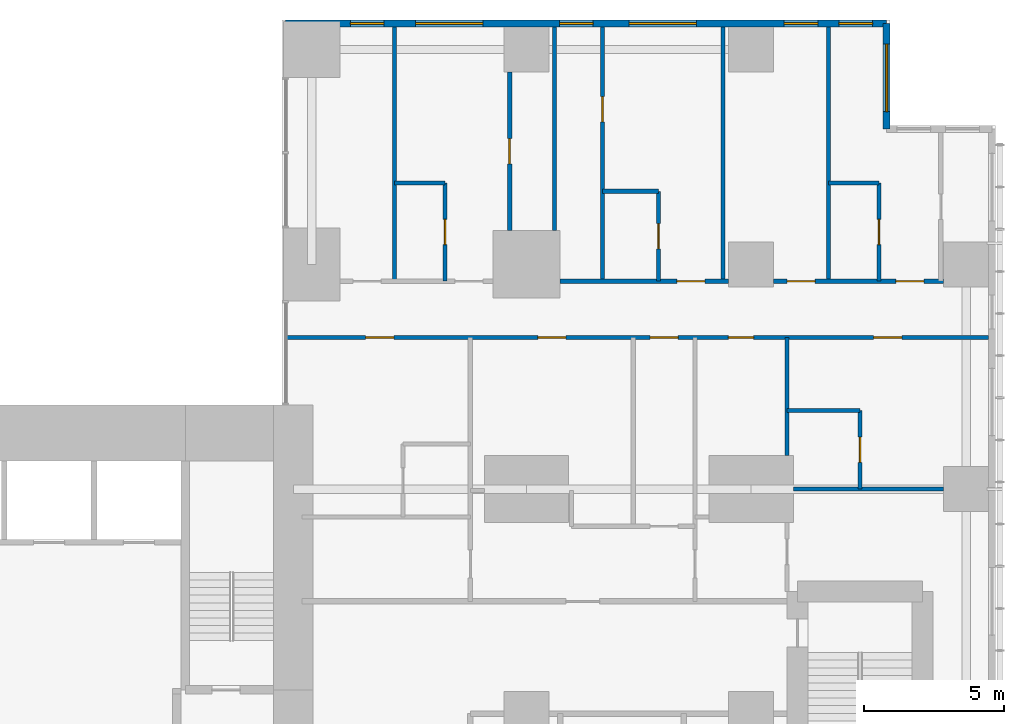
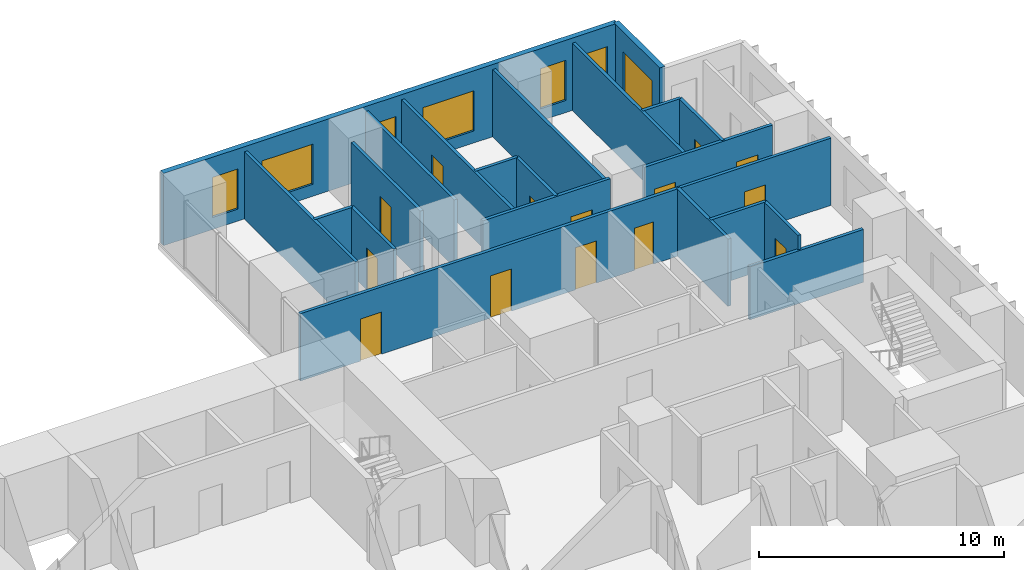
# One storey, part 10 of 12: 21 walls, 14 doors, 7 windows, 21 openings.
"""IFC4 building model written with IfcOpenShell, lengths in metres."""

from ifc_helpers import new_model, si_unit, direction, frame, frame_2d, origin, place, context, subcontext, project, spatial, rectangle, extrude, material, layer, layer_set, type_object, element, fill, save


model = new_model("IFC4")

# Units and contexts
model_context = context("Model", 3, precision=1e-05, world=origin(), true_north=direction((0.0, 1.0)))
body_context = subcontext(model_context, "Body", "Model", "MODEL_VIEW")
ifc_project = project(units=[si_unit("LENGTHUNIT", "METRE"), si_unit("AREAUNIT", "SQUARE_METRE"), si_unit("VOLUMEUNIT", "CUBIC_METRE"), si_unit("PLANEANGLEUNIT", "RADIAN"), si_unit("MASSUNIT", "GRAM", prefix="KILO")], contexts=[model_context])

# Site, building, storey
site_placement = place(None, origin())
site = spatial("IfcSite", under=ifc_project, at=site_placement, CompositionType="ELEMENT")
building_placement = place(site_placement, origin())
building = spatial("IfcBuilding", under=site, at=building_placement, Name="Cleftline Residences", CompositionType="ELEMENT")
storey_placement = place(building_placement, frame((0.0, 0.0, 255.60009765625)))
storey = spatial("IfcBuildingStorey", under=building, at=storey_placement, Name="L67", CompositionType="ELEMENT", Elevation=255.60009765625)

# Wall, opening, window
ifc_material_1 = material(Name="Rendered reinforced concrete blockwork", Category="masonry")
ifc_layer_1 = layer(ifc_material_1, 0.25)
ifc_layer_set_1 = layer_set([ifc_layer_1], Name="EXTERNAL WALL 250")
wall_type_1 = type_object("IfcWallType", Name="EXTERNAL WALL 250", PredefinedType="SOLIDWALL", material=ifc_layer_set_1)
wall_1_placement = place(storey_placement, frame((62.824951171875, 44.824951171875, 0.0), z_axis=(0.0, 0.0, 1.0), x_axis=(0.0, 1.0, 0.0)))
wall_1 = element("IfcWall", 1, at=wall_1_placement, inside=storey, type_object=wall_type_1, Name="External wall", PredefinedType="SOLIDWALL", context=body_context, shape_type="SweptSolid", body=[
    extrude(rectangle(XDim=3.75, YDim=0.25, at=frame_2d((1.875, 0.0))), origin(), (0.0, 0.0, 1.0), 3.599853515625),
])
opening_1_placement = place(wall_1_placement, frame((0.612548828125, 0.0, 0.60009765625)))
opening_1 = element("IfcOpeningElement", 2, at=opening_1_placement, cuts=wall_1, Name="Opening W6", PredefinedType="OPENING", context=body_context, shape_type="SweptSolid", body=[
    extrude(rectangle(XDim=2.39990234375, YDim=2.0, at=frame_2d((1.199951171875, 1.0))), frame((0.0, 0.135009765625, 0.0), z_axis=(0.0, -1.0, 0.0), x_axis=(1.0, 0.0, 0.0)), (0.0, 0.0, 1.0), 0.27001953125),
])
ifc_material_2 = material(Name="Aluminium frame, clear double glazing", Category="aluminium")
window_type_1 = type_object("IfcWindowType", Name="WINDOW 2400X2000", PartitioningType="DOUBLE_PANEL_VERTICAL", PredefinedType="WINDOW", material=ifc_material_2)
window_1_placement = place(opening_1_placement, origin())
window_1 = element("IfcWindow", 3, at=window_1_placement, inside=storey, type_object=window_type_1, Name="Window", OverallHeight=2.0, OverallWidth=2.39990234375, PartitioningType="SINGLE_PANEL", PredefinedType="WINDOW", context=body_context, shape_type="SweptSolid", body=[
    extrude(rectangle(XDim=2.39990234375, YDim=2.0, at=frame_2d((1.199951171875, 1.0))), frame((0.0, 0.030029296875, 0.0), z_axis=(0.0, -1.0, 0.0), x_axis=(1.0, 0.0, 0.0)), (0.0, 0.0, 1.0), 0.06005859375),
])
fill(opening_1, window_1)

# Wall, openings, windows
wall_2_placement = place(storey_placement, frame((62.824951171875, 48.574951171875, 0.0), z_axis=(0.0, 0.0, 1.0), x_axis=(-1.0, 0.0, 0.0)))
wall_2 = element("IfcWall", 4, at=wall_2_placement, inside=storey, type_object=wall_type_1, Name="External wall", PredefinedType="SOLIDWALL", context=body_context, shape_type="SweptSolid", body=[
    extrude(rectangle(XDim=21.39990234375, YDim=0.25, at=frame_2d((10.699951171875, 0.0))), origin(), (0.0, 0.0, 1.0), 3.599853515625),
])
opening_2_placement = place(wall_2_placement, frame((0.5, 0.0, 0.60009765625)))
opening_2 = element("IfcOpeningElement", 5, at=opening_2_placement, cuts=wall_2, Name="Opening W8", PredefinedType="OPENING", context=body_context, shape_type="SweptSolid", body=[
    extrude(rectangle(XDim=1.199951171875, YDim=2.0, at=frame_2d((0.60009765625, 1.0))), frame((0.0, 0.135009765625, 0.0), z_axis=(0.0, -1.0, 0.0), x_axis=(1.0, 0.0, 0.0)), (0.0, 0.0, 1.0), 0.27001953125),
])
opening_3_placement = place(wall_2_placement, frame((2.449951171875, 0.0, 0.60009765625)))
opening_3 = element("IfcOpeningElement", 6, at=opening_3_placement, cuts=wall_2, Name="Opening W8", PredefinedType="OPENING", context=body_context, shape_type="SweptSolid", body=[
    extrude(rectangle(XDim=1.199951171875, YDim=2.0, at=frame_2d((0.60009765625, 1.0))), frame((0.0, 0.135009765625, 0.0), z_axis=(0.0, -1.0, 0.0), x_axis=(1.0, 0.0, 0.0)), (0.0, 0.0, 1.0), 0.27001953125),
])
opening_4_placement = place(wall_2_placement, frame((6.77490234375, 0.0, 0.60009765625)))
opening_4 = element("IfcOpeningElement", 7, at=opening_4_placement, cuts=wall_2, Name="Opening W6", PredefinedType="OPENING", context=body_context, shape_type="SweptSolid", body=[
    extrude(rectangle(XDim=2.39990234375, YDim=2.0, at=frame_2d((1.199951171875, 1.0))), frame((0.0, 0.135009765625, 0.0), z_axis=(0.0, -1.0, 0.0), x_axis=(1.0, 0.0, 0.0)), (0.0, 0.0, 1.0), 0.27001953125),
])
opening_5_placement = place(wall_2_placement, frame((10.449951171875, 0.0, 0.60009765625)))
opening_5 = element("IfcOpeningElement", 8, at=opening_5_placement, cuts=wall_2, Name="Opening W8", PredefinedType="OPENING", context=body_context, shape_type="SweptSolid", body=[
    extrude(rectangle(XDim=1.199951171875, YDim=2.0, at=frame_2d((0.60009765625, 1.0))), frame((0.0, 0.135009765625, 0.0), z_axis=(0.0, -1.0, 0.0), x_axis=(1.0, 0.0, 0.0)), (0.0, 0.0, 1.0), 0.27001953125),
])
opening_6_placement = place(wall_2_placement, frame((14.375, 0.0, 0.60009765625)))
opening_6 = element("IfcOpeningElement", 9, at=opening_6_placement, cuts=wall_2, Name="Opening W6", PredefinedType="OPENING", context=body_context, shape_type="SweptSolid", body=[
    extrude(rectangle(XDim=2.39990234375, YDim=2.0, at=frame_2d((1.199951171875, 1.0))), frame((0.0, 0.135009765625, 0.0), z_axis=(0.0, -1.0, 0.0), x_axis=(1.0, 0.0, 0.0)), (0.0, 0.0, 1.0), 0.27001953125),
])
opening_7_placement = place(wall_2_placement, frame((17.89990234375, 0.0, 0.60009765625)))
opening_7 = element("IfcOpeningElement", 10, at=opening_7_placement, cuts=wall_2, Name="Opening W8", PredefinedType="OPENING", context=body_context, shape_type="SweptSolid", body=[
    extrude(rectangle(XDim=1.199951171875, YDim=2.0, at=frame_2d((0.60009765625, 1.0))), frame((0.0, 0.135009765625, 0.0), z_axis=(0.0, -1.0, 0.0), x_axis=(1.0, 0.0, 0.0)), (0.0, 0.0, 1.0), 0.27001953125),
])
ifc_material_3 = material(Name="Aluminium frame, clear double glazing", Category="aluminium")
window_type_2 = type_object("IfcWindowType", Name="WINDOW 1200X2000", PartitioningType="DOUBLE_PANEL_VERTICAL", PredefinedType="WINDOW", material=ifc_material_3)
window_2_placement = place(opening_2_placement, origin())
window_2 = element("IfcWindow", 11, at=window_2_placement, inside=storey, type_object=window_type_2, Name="Window", OverallHeight=2.0, OverallWidth=1.199951171875, PartitioningType="SINGLE_PANEL", PredefinedType="WINDOW", context=body_context, shape_type="SweptSolid", body=[
    extrude(rectangle(XDim=1.199951171875, YDim=2.0, at=frame_2d((0.60009765625, 1.0))), frame((0.0, 0.030029296875, 0.0), z_axis=(0.0, -1.0, 0.0), x_axis=(1.0, 0.0, 0.0)), (0.0, 0.0, 1.0), 0.06005859375),
])
fill(opening_2, window_2)
window_3_placement = place(opening_3_placement, origin())
window_3 = element("IfcWindow", 12, at=window_3_placement, inside=storey, type_object=window_type_2, Name="Window", OverallHeight=2.0, OverallWidth=1.199951171875, PartitioningType="SINGLE_PANEL", PredefinedType="WINDOW", context=body_context, shape_type="SweptSolid", body=[
    extrude(rectangle(XDim=1.199951171875, YDim=2.0, at=frame_2d((0.60009765625, 1.0))), frame((0.0, 0.030029296875, 0.0), z_axis=(0.0, -1.0, 0.0), x_axis=(1.0, 0.0, 0.0)), (0.0, 0.0, 1.0), 0.06005859375),
])
fill(opening_3, window_3)
window_4_placement = place(opening_5_placement, origin())
window_4 = element("IfcWindow", 13, at=window_4_placement, inside=storey, type_object=window_type_2, Name="Window", OverallHeight=2.0, OverallWidth=1.199951171875, PartitioningType="SINGLE_PANEL", PredefinedType="WINDOW", context=body_context, shape_type="SweptSolid", body=[
    extrude(rectangle(XDim=1.199951171875, YDim=2.0, at=frame_2d((0.60009765625, 1.0))), frame((0.0, 0.030029296875, 0.0), z_axis=(0.0, -1.0, 0.0), x_axis=(1.0, 0.0, 0.0)), (0.0, 0.0, 1.0), 0.06005859375),
])
fill(opening_5, window_4)
window_5_placement = place(opening_7_placement, origin())
window_5 = element("IfcWindow", 14, at=window_5_placement, inside=storey, type_object=window_type_2, Name="Window", OverallHeight=2.0, OverallWidth=1.199951171875, PartitioningType="SINGLE_PANEL", PredefinedType="WINDOW", context=body_context, shape_type="SweptSolid", body=[
    extrude(rectangle(XDim=1.199951171875, YDim=2.0, at=frame_2d((0.60009765625, 1.0))), frame((0.0, 0.030029296875, 0.0), z_axis=(0.0, -1.0, 0.0), x_axis=(1.0, 0.0, 0.0)), (0.0, 0.0, 1.0), 0.06005859375),
])
fill(opening_7, window_5)
window_6_placement = place(opening_4_placement, origin())
window_6 = element("IfcWindow", 15, at=window_6_placement, inside=storey, type_object=window_type_1, Name="Window", OverallHeight=2.0, OverallWidth=2.39990234375, PartitioningType="SINGLE_PANEL", PredefinedType="WINDOW", context=body_context, shape_type="SweptSolid", body=[
    extrude(rectangle(XDim=2.39990234375, YDim=2.0, at=frame_2d((1.199951171875, 1.0))), frame((0.0, 0.030029296875, 0.0), z_axis=(0.0, -1.0, 0.0), x_axis=(1.0, 0.0, 0.0)), (0.0, 0.0, 1.0), 0.06005859375),
])
fill(opening_4, window_6)
window_7_placement = place(opening_6_placement, origin())
window_7 = element("IfcWindow", 16, at=window_7_placement, inside=storey, type_object=window_type_1, Name="Window", OverallHeight=2.0, OverallWidth=2.39990234375, PartitioningType="SINGLE_PANEL", PredefinedType="WINDOW", context=body_context, shape_type="SweptSolid", body=[
    extrude(rectangle(XDim=2.39990234375, YDim=2.0, at=frame_2d((1.199951171875, 1.0))), frame((0.0, 0.030029296875, 0.0), z_axis=(0.0, -1.0, 0.0), x_axis=(1.0, 0.0, 0.0)), (0.0, 0.0, 1.0), 0.06005859375),
])
fill(opening_6, window_7)

# Walls
ifc_material_4 = material(Name="Gypsum board on steel studs", Category="steel")
ifc_layer_2 = layer(ifc_material_4, 0.14990234375)
ifc_layer_set_2 = layer_set([ifc_layer_2], Name="PARTITION 150")
wall_type_2 = type_object("IfcWallType", Name="PARTITION 150", PredefinedType="PARTITIONING", material=ifc_layer_set_2)
wall_3_placement = place(storey_placement, frame((59.5, 32.0, 0.0), z_axis=(0.0, 0.0, 1.0), x_axis=(1.0, 0.0, 0.0)))
element("IfcWall", 17, at=wall_3_placement, inside=storey, type_object=wall_type_2, Name="Partition", PredefinedType="PARTITIONING", context=body_context, shape_type="SweptSolid", body=[
    extrude(rectangle(XDim=5.35009765625, YDim=0.14990234375, at=frame_2d((2.675048828125, 0.0))), origin(), (0.0, 0.0, 1.0), 2.6337890625),
])
wall_4_placement = place(storey_placement, frame((59.27490234375, 34.800048828125, 0.0), z_axis=(0.0, 0.0, 1.0), x_axis=(1.0, 0.0, 0.0)))
element("IfcWall", 18, at=wall_4_placement, inside=storey, type_object=wall_type_2, Name="Partition", PredefinedType="PARTITIONING", context=body_context, shape_type="SweptSolid", body=[
    extrude(rectangle(XDim=2.60009765625, YDim=0.14990234375, at=frame_2d((1.300048828125, 0.0))), origin(), (0.0, 0.0, 1.0), 3.349853515625),
])

# Wall, openings, doors
wall_5_placement = place(storey_placement, frame((41.43896484375, 37.39990234375, 0.0), z_axis=(0.0, 0.0, 1.0), x_axis=(1.0, 0.0, 0.0)))
wall_5 = element("IfcWall", 19, at=wall_5_placement, inside=storey, type_object=wall_type_2, Name="Partition", PredefinedType="PARTITIONING", context=body_context, shape_type="SweptSolid", body=[
    extrude(rectangle(XDim=25.010986328125, YDim=0.14990234375, at=frame_2d((12.50537109375, 0.0))), origin(), (0.0, 0.0, 1.0), 3.349853515625),
])
opening_8_placement = place(wall_5_placement, frame((12.9609375, 0.0, 0.0)))
opening_8 = element("IfcOpeningElement", 20, at=opening_8_placement, cuts=wall_5, Name="Opening D2F30", PredefinedType="OPENING", context=body_context, shape_type="SweptSolid", body=[
    extrude(rectangle(XDim=1.0, YDim=2.10009765625, at=frame_2d((0.5, 1.050048828125))), frame((0.0, 0.0849609375, 0.0), z_axis=(0.0, -1.0, 0.0), x_axis=(1.0, 0.0, 0.0)), (0.0, 0.0, 1.0), 0.169921875),
])
opening_9_placement = place(wall_5_placement, frame((20.923583984375, 0.0, 0.0)))
opening_9 = element("IfcOpeningElement", 21, at=opening_9_placement, cuts=wall_5, Name="Opening D2F30", PredefinedType="OPENING", context=body_context, shape_type="SweptSolid", body=[
    extrude(rectangle(XDim=1.0, YDim=2.10009765625, at=frame_2d((0.5, 1.050048828125))), frame((0.0, 0.0849609375, 0.0), z_axis=(0.0, -1.0, 0.0), x_axis=(1.0, 0.0, 0.0)), (0.0, 0.0, 1.0), 0.169921875),
])
opening_10_placement = place(wall_5_placement, frame((15.74853515625, 0.0, 0.0)))
opening_10 = element("IfcOpeningElement", 22, at=opening_10_placement, cuts=wall_5, Name="Opening D1F30", PredefinedType="OPENING", context=body_context, shape_type="SweptSolid", body=[
    extrude(rectangle(XDim=0.89990234375, YDim=2.10009765625, at=frame_2d((0.449951171875, 1.050048828125))), frame((0.0, 0.0849609375, 0.0), z_axis=(0.0, -1.0, 0.0), x_axis=(1.0, 0.0, 0.0)), (0.0, 0.0, 1.0), 0.169921875),
])
opening_11_placement = place(wall_5_placement, frame((8.9609375, 0.0, 0.0)))
opening_11 = element("IfcOpeningElement", 23, at=opening_11_placement, cuts=wall_5, Name="Opening D2F30", PredefinedType="OPENING", context=body_context, shape_type="SweptSolid", body=[
    extrude(rectangle(XDim=1.0, YDim=2.10009765625, at=frame_2d((0.5, 1.050048828125))), frame((0.0, 0.0849609375, 0.0), z_axis=(0.0, -1.0, 0.0), x_axis=(1.0, 0.0, 0.0)), (0.0, 0.0, 1.0), 0.169921875),
])
opening_12_placement = place(wall_5_placement, frame((2.8359375, 0.0, 0.0)))
opening_12 = element("IfcOpeningElement", 24, at=opening_12_placement, cuts=wall_5, Name="Opening D2F30", PredefinedType="OPENING", context=body_context, shape_type="SweptSolid", body=[
    extrude(rectangle(XDim=1.0, YDim=2.10009765625, at=frame_2d((0.5, 1.050048828125))), frame((0.0, 0.0849609375, 0.0), z_axis=(0.0, -1.0, 0.0), x_axis=(1.0, 0.0, 0.0)), (0.0, 0.0, 1.0), 0.169921875),
])
ifc_material_5 = material(Name="Timber veneer on solid core", Category="wood")
door_type_1 = type_object("IfcDoorType", Name="DOOR 1000X2100 EI 30", OperationType="SINGLE_SWING_LEFT", PredefinedType="DOOR", material=ifc_material_5)
door_1_placement = place(opening_8_placement, origin())
door_1 = element("IfcDoor", 25, at=door_1_placement, inside=storey, type_object=door_type_1, Name="Door to residence corridor (bedrooms)", OperationType="SINGLE_SWING_LEFT", OverallHeight=2.10009765625, OverallWidth=1.0, PredefinedType="DOOR", context=body_context, shape_type="SweptSolid", body=[
    extrude(rectangle(XDim=1.0, YDim=2.10009765625, at=frame_2d((0.5, 1.050048828125))), frame((0.0, 0.02490234375, 0.0), z_axis=(0.0, -1.0, 0.0), x_axis=(1.0, 0.0, 0.0)), (0.0, 0.0, 1.0), 0.050048828125),
])
fill(opening_8, door_1)
door_2_placement = place(opening_9_placement, origin())
door_2 = element("IfcDoor", 26, at=door_2_placement, inside=storey, type_object=door_type_1, Name="Door to master bedroom", OperationType="SINGLE_SWING_LEFT", OverallHeight=2.10009765625, OverallWidth=1.0, PredefinedType="DOOR", context=body_context, shape_type="SweptSolid", body=[
    extrude(rectangle(XDim=1.0, YDim=2.10009765625, at=frame_2d((0.5, 1.050048828125))), frame((0.0, 0.02490234375, 0.0), z_axis=(0.0, -1.0, 0.0), x_axis=(1.0, 0.0, 0.0)), (0.0, 0.0, 1.0), 0.050048828125),
])
fill(opening_9, door_2)
door_3_placement = place(opening_11_placement, origin())
door_3 = element("IfcDoor", 27, at=door_3_placement, inside=storey, type_object=door_type_1, Name="Door to family room", OperationType="SINGLE_SWING_RIGHT", OverallHeight=2.10009765625, OverallWidth=1.0, PredefinedType="DOOR", context=body_context, shape_type="SweptSolid", body=[
    extrude(rectangle(XDim=1.0, YDim=2.10009765625, at=frame_2d((0.5, 1.050048828125))), frame((0.0, 0.02490234375, 0.0), z_axis=(0.0, -1.0, 0.0), x_axis=(1.0, 0.0, 0.0)), (0.0, 0.0, 1.0), 0.050048828125),
])
fill(opening_11, door_3)
door_4_placement = place(opening_12_placement, origin())
door_4 = element("IfcDoor", 28, at=door_4_placement, inside=storey, type_object=door_type_1, Name="Door to bedroom 5", OperationType="SINGLE_SWING_RIGHT", OverallHeight=2.10009765625, OverallWidth=1.0, PredefinedType="DOOR", context=body_context, shape_type="SweptSolid", body=[
    extrude(rectangle(XDim=1.0, YDim=2.10009765625, at=frame_2d((0.5, 1.050048828125))), frame((0.0, 0.02490234375, 0.0), z_axis=(0.0, -1.0, 0.0), x_axis=(1.0, 0.0, 0.0)), (0.0, 0.0, 1.0), 0.050048828125),
])
fill(opening_12, door_4)
ifc_material_6 = material(Name="Timber veneer on solid core", Category="wood")
door_type_2 = type_object("IfcDoorType", Name="DOOR 900X2100 EI 30", OperationType="SINGLE_SWING_LEFT", PredefinedType="DOOR", material=ifc_material_6)
door_5_placement = place(opening_10_placement, origin())
door_5 = element("IfcDoor", 29, at=door_5_placement, inside=storey, type_object=door_type_2, Name="Door to master bathroom", OperationType="SINGLE_SWING_LEFT", OverallHeight=2.10009765625, OverallWidth=0.89990234375, PredefinedType="DOOR", context=body_context, shape_type="SweptSolid", body=[
    extrude(rectangle(XDim=0.89990234375, YDim=2.10009765625, at=frame_2d((0.449951171875, 1.050048828125))), frame((0.0, 0.02490234375, 0.0), z_axis=(0.0, -1.0, 0.0), x_axis=(1.0, 0.0, 0.0)), (0.0, 0.0, 1.0), 0.050048828125),
])
fill(opening_10, door_5)

# Wall, opening, door
wall_6_placement = place(storey_placement, frame((51.199951171875, 39.39990234375, 0.0), z_axis=(0.0, 0.0, 1.0), x_axis=(1.0, 0.0, 0.0)))
wall_6 = element("IfcWall", 30, at=wall_6_placement, inside=storey, type_object=wall_type_2, Name="Partition", PredefinedType="PARTITIONING", context=body_context, shape_type="SweptSolid", body=[
    extrude(rectangle(XDim=6.0, YDim=0.14990234375, at=frame_2d((3.0, 0.0))), origin(), (0.0, 0.0, 1.0), 3.349853515625),
])
opening_13_placement = place(wall_6_placement, frame((4.14990234375, 0.0, 0.0)))
opening_13 = element("IfcOpeningElement", 31, at=opening_13_placement, cuts=wall_6, Name="Opening D2", PredefinedType="OPENING", context=body_context, shape_type="SweptSolid", body=[
    extrude(rectangle(XDim=1.0, YDim=2.10009765625, at=frame_2d((0.5, 1.050048828125))), frame((0.0, 0.0849609375, 0.0), z_axis=(0.0, -1.0, 0.0), x_axis=(1.0, 0.0, 0.0)), (0.0, 0.0, 1.0), 0.169921875),
])
ifc_material_7 = material(Name="Timber veneer on solid core", Category="wood")
door_type_3 = type_object("IfcDoorType", Name="DOOR 1000X2100", OperationType="SINGLE_SWING_LEFT", PredefinedType="DOOR", material=ifc_material_7)
door_6_placement = place(opening_13_placement, origin())
door_6 = element("IfcDoor", 32, at=door_6_placement, inside=storey, type_object=door_type_3, Name="Door to bedroom 3", OperationType="SINGLE_SWING_LEFT", OverallHeight=2.10009765625, OverallWidth=1.0, PredefinedType="DOOR", context=body_context, shape_type="SweptSolid", body=[
    extrude(rectangle(XDim=1.0, YDim=2.10009765625, at=frame_2d((0.5, 1.050048828125))), frame((0.0, 0.02490234375, 0.0), z_axis=(0.0, -1.0, 0.0), x_axis=(1.0, 0.0, 0.0)), (0.0, 0.0, 1.0), 0.050048828125),
])
fill(opening_13, door_6)

# Wall, openings, doors
wall_7_placement = place(storey_placement, frame((58.800048828125, 39.39990234375, 0.0), z_axis=(0.0, 0.0, 1.0), x_axis=(1.0, 0.0, 0.0)))
wall_7 = element("IfcWall", 33, at=wall_7_placement, inside=storey, type_object=wall_type_2, Name="Partition", PredefinedType="PARTITIONING", context=body_context, shape_type="SweptSolid", body=[
    extrude(rectangle(XDim=6.050048828125, YDim=0.14990234375, at=frame_2d((3.02490234375, 0.0))), origin(), (0.0, 0.0, 1.0), 3.349853515625),
])
opening_14_placement = place(wall_7_placement, frame((4.35009765625, 0.0, 0.0)))
opening_14 = element("IfcOpeningElement", 34, at=opening_14_placement, cuts=wall_7, Name="Opening D2", PredefinedType="OPENING", context=body_context, shape_type="SweptSolid", body=[
    extrude(rectangle(XDim=1.0, YDim=2.10009765625, at=frame_2d((0.5, 1.050048828125))), frame((0.0, 0.0849609375, 0.0), z_axis=(0.0, -1.0, 0.0), x_axis=(1.0, 0.0, 0.0)), (0.0, 0.0, 1.0), 0.169921875),
])
opening_15_placement = place(wall_7_placement, frame((0.47509765625, 0.0, 0.0)))
opening_15 = element("IfcOpeningElement", 35, at=opening_15_placement, cuts=wall_7, Name="Opening D2", PredefinedType="OPENING", context=body_context, shape_type="SweptSolid", body=[
    extrude(rectangle(XDim=1.0, YDim=2.10009765625, at=frame_2d((0.5, 1.050048828125))), frame((0.0, 0.0849609375, 0.0), z_axis=(0.0, -1.0, 0.0), x_axis=(1.0, 0.0, 0.0)), (0.0, 0.0, 1.0), 0.169921875),
])
door_7_placement = place(opening_14_placement, origin())
door_7 = element("IfcDoor", 36, at=door_7_placement, inside=storey, type_object=door_type_3, Name="Door to bedroom 2", OperationType="SINGLE_SWING_LEFT", OverallHeight=2.10009765625, OverallWidth=1.0, PredefinedType="DOOR", context=body_context, shape_type="SweptSolid", body=[
    extrude(rectangle(XDim=1.0, YDim=2.10009765625, at=frame_2d((0.5, 1.050048828125))), frame((0.0, 0.02490234375, 0.0), z_axis=(0.0, -1.0, 0.0), x_axis=(1.0, 0.0, 0.0)), (0.0, 0.0, 1.0), 0.050048828125),
])
fill(opening_14, door_7)
door_8_placement = place(opening_15_placement, origin())
door_8 = element("IfcDoor", 37, at=door_8_placement, inside=storey, type_object=door_type_3, Name="Door to bedroom 2 sitting room", OperationType="SINGLE_SWING_RIGHT", OverallHeight=2.10009765625, OverallWidth=1.0, PredefinedType="DOOR", context=body_context, shape_type="SweptSolid", body=[
    extrude(rectangle(XDim=1.0, YDim=2.10009765625, at=frame_2d((0.5, 1.050048828125))), frame((0.0, 0.02490234375, 0.0), z_axis=(0.0, -1.0, 0.0), x_axis=(1.0, 0.0, 0.0)), (0.0, 0.0, 1.0), 0.050048828125),
])
fill(opening_15, door_8)

# Walls
wall_8_placement = place(storey_placement, frame((52.699951171875, 42.60009765625, 0.0), z_axis=(0.0, 0.0, 1.0), x_axis=(1.0, 0.0, 0.0)))
element("IfcWall", 38, at=wall_8_placement, inside=storey, type_object=wall_type_2, Name="Partition", PredefinedType="PARTITIONING", context=body_context, shape_type="SweptSolid", body=[
    extrude(rectangle(XDim=2.0, YDim=0.14990234375, at=frame_2d((1.0, 0.0))), origin(), (0.0, 0.0, 1.0), 3.349853515625),
])
for number, where, z_axis, x_axis, name in (
    (39, (45.300048828125, 42.89990234375, 0.0), (0.0, 0.0, 1.0), (1.0, 0.0, 0.0), "Partition"),
    (40, (60.75, 42.89990234375, 0.0), (0.0, 0.0, 1.0), (1.0, 0.0, 0.0), "Partition"),
):
    element("IfcWall", number, at=place(storey_placement, frame(where, z_axis=z_axis, x_axis=x_axis)), inside=storey, type_object=wall_type_2, Name=name, PredefinedType="PARTITIONING", context=body_context, shape_type="SweptSolid", body=[
        extrude(rectangle(XDim=1.800048828125, YDim=0.14990234375, at=frame_2d((0.89990234375, 0.0))), origin(), (0.0, 0.0, 1.0), 3.349853515625),
    ])
wall_9_placement = place(storey_placement, frame((45.300048828125, 39.39990234375, 0.0), z_axis=(0.0, 0.0, 1.0), x_axis=(0.0, 1.0, 0.0)))
element("IfcWall", 41, at=wall_9_placement, inside=storey, type_object=wall_type_2, Name="Partition", PredefinedType="PARTITIONING", context=body_context, shape_type="SweptSolid", body=[
    extrude(rectangle(XDim=9.050048828125, YDim=0.14990234375, at=frame_2d((4.52490234375, 0.0))), origin(), (0.0, 0.0, 1.0), 3.349853515625),
])

# Wall, opening, door
wall_10_placement = place(storey_placement, frame((47.10009765625, 39.39990234375, 0.0), z_axis=(0.0, 0.0, 1.0), x_axis=(0.0, 1.0, 0.0)))
wall_10 = element("IfcWall", 42, at=wall_10_placement, inside=storey, type_object=wall_type_2, Name="Partition", PredefinedType="PARTITIONING", context=body_context, shape_type="SweptSolid", body=[
    extrude(rectangle(XDim=3.5, YDim=0.14990234375, at=frame_2d((1.75, 0.0))), origin(), (0.0, 0.0, 1.0), 3.349853515625),
])
opening_16_placement = place(wall_10_placement, frame((1.300048828125, 0.0, 0.0)))
opening_16 = element("IfcOpeningElement", 43, at=opening_16_placement, cuts=wall_10, Name="Opening D1", PredefinedType="OPENING", context=body_context, shape_type="SweptSolid", body=[
    extrude(rectangle(XDim=0.89990234375, YDim=2.10009765625, at=frame_2d((0.449951171875, 1.050048828125))), frame((0.0, 0.0849609375, 0.0), z_axis=(0.0, -1.0, 0.0), x_axis=(1.0, 0.0, 0.0)), (0.0, 0.0, 1.0), 0.169921875),
])
ifc_material_8 = material(Name="Timber veneer on solid core", Category="wood")
door_type_4 = type_object("IfcDoorType", Name="DOOR 900X2100", OperationType="SINGLE_SWING_LEFT", PredefinedType="DOOR", material=ifc_material_8)
door_9_placement = place(opening_16_placement, origin())
door_9 = element("IfcDoor", 44, at=door_9_placement, inside=storey, type_object=door_type_4, Name="Door to en-suite bathroom 4", OperationType="SINGLE_SWING_LEFT", OverallHeight=2.10009765625, OverallWidth=0.89990234375, PredefinedType="DOOR", context=body_context, shape_type="SweptSolid", body=[
    extrude(rectangle(XDim=0.89990234375, YDim=2.10009765625, at=frame_2d((0.449951171875, 1.050048828125))), frame((0.0, 0.02490234375, 0.0), z_axis=(0.0, -1.0, 0.0), x_axis=(1.0, 0.0, 0.0)), (0.0, 0.0, 1.0), 0.050048828125),
])
fill(opening_16, door_9)

wall_11_placement = place(storey_placement, frame((49.39990234375, 41.199951171875, 0.0), z_axis=(0.0, 0.0, 1.0), x_axis=(0.0, 1.0, 0.0)))
wall_11 = element("IfcWall", 45, at=wall_11_placement, inside=storey, type_object=wall_type_2, Name="Partition", PredefinedType="PARTITIONING", context=body_context, shape_type="SweptSolid", body=[
    extrude(rectangle(XDim=5.650146484375, YDim=0.14990234375, at=frame_2d((2.8251953125, 0.0))), origin(), (0.0, 0.0, 1.0), 3.349853515625),
])
opening_17_placement = place(wall_11_placement, frame((2.375, 0.0, 0.0)))
opening_17 = element("IfcOpeningElement", 46, at=opening_17_placement, cuts=wall_11, Name="Opening D1", PredefinedType="OPENING", context=body_context, shape_type="SweptSolid", body=[
    extrude(rectangle(XDim=0.89990234375, YDim=2.10009765625, at=frame_2d((0.449951171875, 1.050048828125))), frame((0.0, 0.0849609375, 0.0), z_axis=(0.0, -1.0, 0.0), x_axis=(1.0, 0.0, 0.0)), (0.0, 0.0, 1.0), 0.169921875),
])
door_10_placement = place(opening_17_placement, origin())
door_10 = element("IfcDoor", 47, at=door_10_placement, inside=storey, type_object=door_type_4, Name="Door to walk-in wardrobe", OperationType="SINGLE_SWING_LEFT", OverallHeight=2.10009765625, OverallWidth=0.89990234375, PredefinedType="DOOR", context=body_context, shape_type="SweptSolid", body=[
    extrude(rectangle(XDim=0.89990234375, YDim=2.10009765625, at=frame_2d((0.449951171875, 1.050048828125))), frame((0.0, 0.02490234375, 0.0), z_axis=(0.0, -1.0, 0.0), x_axis=(1.0, 0.0, 0.0)), (0.0, 0.0, 1.0), 0.050048828125),
])
fill(opening_17, door_10)

# Wall
wall_12_placement = place(storey_placement, frame((51.0, 41.199951171875, 0.0), z_axis=(0.0, 0.0, 1.0), x_axis=(0.0, 1.0, 0.0)))
element("IfcWall", 48, at=wall_12_placement, inside=storey, type_object=wall_type_2, Name="Partition", PredefinedType="PARTITIONING", context=body_context, shape_type="SweptSolid", body=[
    extrude(rectangle(XDim=7.25, YDim=0.14990234375, at=frame_2d((3.625, 0.0))), origin(), (0.0, 0.0, 1.0), 3.349853515625),
])

# Wall, opening, door
wall_13_placement = place(storey_placement, frame((52.699951171875, 39.39990234375, 0.0), z_axis=(0.0, 0.0, 1.0), x_axis=(0.0, 1.0, 0.0)))
wall_13 = element("IfcWall", 49, at=wall_13_placement, inside=storey, type_object=wall_type_2, Name="Partition", PredefinedType="PARTITIONING", context=body_context, shape_type="SweptSolid", body=[
    extrude(rectangle(XDim=9.050048828125, YDim=0.14990234375, at=frame_2d((4.52490234375, 0.0))), origin(), (0.0, 0.0, 1.0), 3.349853515625),
])
opening_18_placement = place(wall_13_placement, frame((5.675048828125, 0.0, 0.0)))
opening_18 = element("IfcOpeningElement", 50, at=opening_18_placement, cuts=wall_13, Name="Opening D1", PredefinedType="OPENING", context=body_context, shape_type="SweptSolid", body=[
    extrude(rectangle(XDim=0.89990234375, YDim=2.10009765625, at=frame_2d((0.449951171875, 1.050048828125))), frame((0.0, 0.0849609375, 0.0), z_axis=(0.0, -1.0, 0.0), x_axis=(1.0, 0.0, 0.0)), (0.0, 0.0, 1.0), 0.169921875),
])
door_11_placement = place(opening_18_placement, origin())
door_11 = element("IfcDoor", 51, at=door_11_placement, inside=storey, type_object=door_type_4, Name="Door to walk-in wardrobe", OperationType="SINGLE_SWING_LEFT", OverallHeight=2.10009765625, OverallWidth=0.89990234375, PredefinedType="DOOR", context=body_context, shape_type="SweptSolid", body=[
    extrude(rectangle(XDim=0.89990234375, YDim=2.10009765625, at=frame_2d((0.449951171875, 1.050048828125))), frame((0.0, 0.02490234375, 0.0), z_axis=(0.0, -1.0, 0.0), x_axis=(1.0, 0.0, 0.0)), (0.0, 0.0, 1.0), 0.050048828125),
])
fill(opening_18, door_11)

wall_14_placement = place(storey_placement, frame((54.699951171875, 39.39990234375, 0.0), z_axis=(0.0, 0.0, 1.0), x_axis=(0.0, 1.0, 0.0)))
wall_14 = element("IfcWall", 52, at=wall_14_placement, inside=storey, type_object=wall_type_2, Name="Partition", PredefinedType="PARTITIONING", context=body_context, shape_type="SweptSolid", body=[
    extrude(rectangle(XDim=3.2001953125, YDim=0.14990234375, at=frame_2d((1.60009765625, 0.0))), origin(), (0.0, 0.0, 1.0), 3.349853515625),
])
opening_19_placement = place(wall_14_placement, frame((1.14990234375, 0.0, 0.0)))
opening_19 = element("IfcOpeningElement", 53, at=opening_19_placement, cuts=wall_14, Name="Opening D1", PredefinedType="OPENING", context=body_context, shape_type="SweptSolid", body=[
    extrude(rectangle(XDim=0.89990234375, YDim=2.10009765625, at=frame_2d((0.449951171875, 1.050048828125))), frame((0.0, 0.0849609375, 0.0), z_axis=(0.0, -1.0, 0.0), x_axis=(1.0, 0.0, 0.0)), (0.0, 0.0, 1.0), 0.169921875),
])
door_12_placement = place(opening_19_placement, origin())
door_12 = element("IfcDoor", 54, at=door_12_placement, inside=storey, type_object=door_type_4, Name="Door to en-suite bathroom 3", OperationType="SINGLE_SWING_LEFT", OverallHeight=2.10009765625, OverallWidth=0.89990234375, PredefinedType="DOOR", context=body_context, shape_type="SweptSolid", body=[
    extrude(rectangle(XDim=0.89990234375, YDim=2.10009765625, at=frame_2d((0.449951171875, 1.050048828125))), frame((0.0, 0.02490234375, 0.0), z_axis=(0.0, -1.0, 0.0), x_axis=(1.0, 0.0, 0.0)), (0.0, 0.0, 1.0), 0.050048828125),
])
fill(opening_19, door_12)

# Walls
wall_15_placement = place(storey_placement, frame((57.0, 39.39990234375, 0.0), z_axis=(0.0, 0.0, 1.0), x_axis=(0.0, 1.0, 0.0)))
element("IfcWall", 55, at=wall_15_placement, inside=storey, type_object=wall_type_2, Name="Partition", PredefinedType="PARTITIONING", context=body_context, shape_type="SweptSolid", body=[
    extrude(rectangle(XDim=9.050048828125, YDim=0.14990234375, at=frame_2d((4.52490234375, 0.0))), origin(), (0.0, 0.0, 1.0), 3.349853515625),
])
wall_16_placement = place(storey_placement, frame((59.27490234375, 33.199951171875, 0.0), z_axis=(0.0, 0.0, 1.0), x_axis=(0.0, 1.0, 0.0)))
element("IfcWall", 56, at=wall_16_placement, inside=storey, type_object=wall_type_2, Name="Partition", PredefinedType="PARTITIONING", context=body_context, shape_type="SweptSolid", body=[
    extrude(rectangle(XDim=4.199951171875, YDim=0.14990234375, at=frame_2d((2.10009765625, 0.0))), origin(), (0.0, 0.0, 1.0), 3.349853515625),
])
wall_17_placement = place(storey_placement, frame((60.75, 39.39990234375, 0.0), z_axis=(0.0, 0.0, 1.0), x_axis=(0.0, 1.0, 0.0)))
element("IfcWall", 57, at=wall_17_placement, inside=storey, type_object=wall_type_2, Name="Partition", PredefinedType="PARTITIONING", context=body_context, shape_type="SweptSolid", body=[
    extrude(rectangle(XDim=9.050048828125, YDim=0.14990234375, at=frame_2d((4.52490234375, 0.0))), origin(), (0.0, 0.0, 1.0), 3.349853515625),
])

# Wall, opening, door
wall_18_placement = place(storey_placement, frame((61.875, 32.0, 0.0), z_axis=(0.0, 0.0, 1.0), x_axis=(0.0, 1.0, 0.0)))
wall_18 = element("IfcWall", 58, at=wall_18_placement, inside=storey, type_object=wall_type_2, Name="Partition", PredefinedType="PARTITIONING", context=body_context, shape_type="SweptSolid", body=[
    extrude(rectangle(XDim=2.800048828125, YDim=0.14990234375, at=frame_2d((1.39990234375, 0.0))), origin(), (0.0, 0.0, 1.0), 3.349853515625),
])
opening_20_placement = place(wall_18_placement, frame((0.949951171875, 0.0, 0.0)))
opening_20 = element("IfcOpeningElement", 59, at=opening_20_placement, cuts=wall_18, Name="Opening D1", PredefinedType="OPENING", context=body_context, shape_type="SweptSolid", body=[
    extrude(rectangle(XDim=0.89990234375, YDim=2.10009765625, at=frame_2d((0.449951171875, 1.050048828125))), frame((0.0, 0.0849609375, 0.0), z_axis=(0.0, -1.0, 0.0), x_axis=(1.0, 0.0, 0.0)), (0.0, 0.0, 1.0), 0.169921875),
])
door_13_placement = place(opening_20_placement, origin())
door_13 = element("IfcDoor", 60, at=door_13_placement, inside=storey, type_object=door_type_4, Name="Door to master bathroom", OperationType="SINGLE_SWING_LEFT", OverallHeight=2.10009765625, OverallWidth=0.89990234375, PredefinedType="DOOR", context=body_context, shape_type="SweptSolid", body=[
    extrude(rectangle(XDim=0.89990234375, YDim=2.10009765625, at=frame_2d((0.449951171875, 1.050048828125))), frame((0.0, 0.02490234375, 0.0), z_axis=(0.0, -1.0, 0.0), x_axis=(1.0, 0.0, 0.0)), (0.0, 0.0, 1.0), 0.050048828125),
])
fill(opening_20, door_13)

wall_19_placement = place(storey_placement, frame((62.550048828125, 39.39990234375, 0.0), z_axis=(0.0, 0.0, 1.0), x_axis=(0.0, 1.0, 0.0)))
wall_19 = element("IfcWall", 61, at=wall_19_placement, inside=storey, type_object=wall_type_2, Name="Partition", PredefinedType="PARTITIONING", context=body_context, shape_type="SweptSolid", body=[
    extrude(rectangle(XDim=3.5, YDim=0.14990234375, at=frame_2d((1.75, 0.0))), origin(), (0.0, 0.0, 1.0), 3.349853515625),
])
opening_21_placement = place(wall_19_placement, frame((1.300048828125, 0.0, 0.0)))
opening_21 = element("IfcOpeningElement", 62, at=opening_21_placement, cuts=wall_19, Name="Opening D1", PredefinedType="OPENING", context=body_context, shape_type="SweptSolid", body=[
    extrude(rectangle(XDim=0.89990234375, YDim=2.10009765625, at=frame_2d((0.449951171875, 1.050048828125))), frame((0.0, 0.0849609375, 0.0), z_axis=(0.0, -1.0, 0.0), x_axis=(1.0, 0.0, 0.0)), (0.0, 0.0, 1.0), 0.169921875),
])
door_14_placement = place(opening_21_placement, origin())
door_14 = element("IfcDoor", 63, at=door_14_placement, inside=storey, type_object=door_type_4, Name="Door to en-suite bathroom 2", OperationType="SINGLE_SWING_LEFT", OverallHeight=2.10009765625, OverallWidth=0.89990234375, PredefinedType="DOOR", context=body_context, shape_type="SweptSolid", body=[
    extrude(rectangle(XDim=0.89990234375, YDim=2.10009765625, at=frame_2d((0.449951171875, 1.050048828125))), frame((0.0, 0.02490234375, 0.0), z_axis=(0.0, -1.0, 0.0), x_axis=(1.0, 0.0, 0.0)), (0.0, 0.0, 1.0), 0.050048828125),
])
fill(opening_21, door_14)

save(model, "model.ifc")
